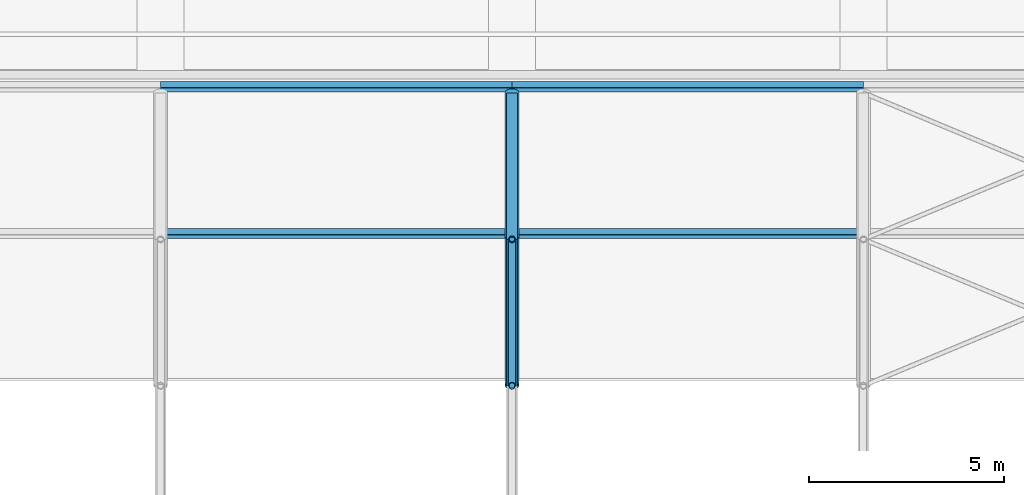
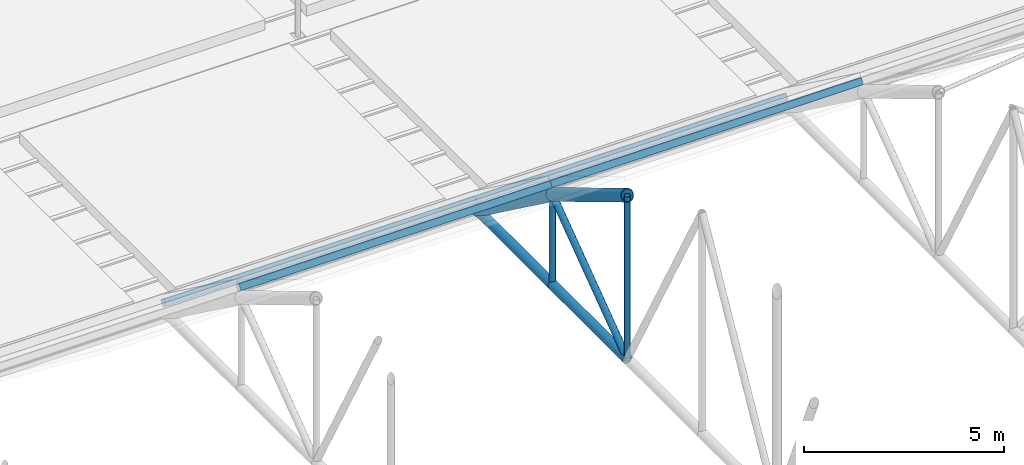
# One storey, part 82 of 153: 11 members.
"""IFC4 building model written with IfcOpenShell, lengths in metres."""

from ifc_helpers import new_model, si_unit, direction, frame, origin, origin_2d, place, context, subcontext, project, spatial, hollow_rectangle, hollow_circle, extrude, material, material_profile, profile_set, type_object, element, save


model = new_model("IFC4")

# Units and contexts
model_context = context("Model", 3, precision=1e-05, world=origin(), true_north=direction((0.0, 1.0)))
body_context = subcontext(model_context, "Body", "Model", "MODEL_VIEW")
ifc_project = project(units=[si_unit("LENGTHUNIT", "METRE"), si_unit("AREAUNIT", "SQUARE_METRE"), si_unit("VOLUMEUNIT", "CUBIC_METRE"), si_unit("PLANEANGLEUNIT", "RADIAN"), si_unit("MASSUNIT", "GRAM", prefix="KILO")], contexts=[model_context])

# Site, building, storey
site_placement = place(None, origin())
site = spatial("IfcSite", under=ifc_project, at=site_placement, CompositionType="ELEMENT")
building_placement = place(site_placement, origin())
building = spatial("IfcBuilding", under=site, at=building_placement, Name="Baradari Gate Terminus", CompositionType="ELEMENT")
storey_placement = place(building_placement, frame((0.0, 0.0, 11.699951171875)))
storey = spatial("IfcBuildingStorey", under=building, at=storey_placement, Name="L02", CompositionType="ELEMENT", Elevation=11.699951171875)

# Members
ifc_material_1 = material(Name="Steel S355", Category="steel")
ifc_material_profile_1 = material_profile(ifc_material_1, hollow_circle(Radius=0.136474609375, WallThickness=0.012451171875, at=origin_2d()), Name="CHS 273x12.5")
ifc_profile_set_1 = profile_set([ifc_material_profile_1], Name="Steel S355")
member_type_1 = type_object("IfcMemberType", Name="Shed bottom chord CHS 273x12.5", PredefinedType="CHORD", material=ifc_profile_set_1)
for number, where, z_axis, x_axis, name in (
    (1, (225.0, 73.5, 0.136474609375), (0.0, 1.0, 0.0), (-1.0, 0.0, 0.0), "TR/L02/S225-BC10"),
    (2, (225.0, 77.25, 0.136474609375), (0.0, 1.0, 0.0), (-1.0, 0.0, 0.0), "TR/L02/S225-BC11"),
):
    element("IfcMember", number, at=place(storey_placement, frame(where, z_axis=z_axis, x_axis=x_axis)), inside=storey, type_object=member_type_1, Name=name, PredefinedType="CHORD", context=body_context, shape_type="SweptSolid", body=[
        extrude(hollow_circle(Radius=0.136474609375, WallThickness=0.012451171875, at=origin_2d()), origin(), (0.0, 0.0, 1.0), 3.75),
    ])
ifc_material_2 = material(Name="Steel S355", Category="steel")
ifc_material_profile_2 = material_profile(ifc_material_2, hollow_rectangle(XDim=0.199951171875, YDim=0.199951171875, WallThickness=0.008056640625, InnerFilletRadius=0.008056640625, OuterFilletRadius=0.01611328125, at=origin_2d()), Name="SHS 200x200x8")
ifc_profile_set_2 = profile_set([ifc_material_profile_2], Name="Steel S355")
member_type_2 = type_object("IfcMemberType", Name="Shed purlin SHS 200x200x8", PredefinedType="PURLIN", material=ifc_profile_set_2)
for number, where, z_axis, x_axis, name in (
    (3, (216.0, 77.397216796875, 3.10791015625), (1.0, 0.0, 0.0), (0.0, 0.832836263724, -0.55351942859), "TR/L02/B225-PU11"),
    (4, (216.0, 81.1572265625, 0.350830078125), (1.0, 0.0, 0.0), (0.0, 0.80640499586, -0.591363663621), "TR/L02/B225-PU12"),
    (5, (225.0, 77.397216796875, 3.10791015625), (1.0, 0.0, 0.0), (0.0, 0.832836263724, -0.55351942859), "TR/L02/B234-PU11"),
    (6, (225.0, 81.1572265625, 0.350830078125), (1.0, 0.0, 0.0), (0.0, 0.80640499586, -0.591363663621), "TR/L02/B234-PU12"),
):
    element("IfcMember", number, at=place(storey_placement, frame(where, z_axis=z_axis, x_axis=x_axis)), inside=storey, type_object=member_type_2, Name=name, PredefinedType="PURLIN", context=body_context, shape_type="SweptSolid", body=[
        extrude(hollow_rectangle(XDim=0.199951171875, YDim=0.199951171875, WallThickness=0.008056640625, InnerFilletRadius=0.008056640625, OuterFilletRadius=0.01611328125, at=origin_2d()), origin(), (0.0, 0.0, 1.0), 9.0),
    ])
ifc_material_3 = material(Name="Steel S355", Category="steel")
ifc_material_profile_3 = material_profile(ifc_material_3, hollow_circle(Radius=0.177734375, WallThickness=0.01611328125, at=origin_2d()), Name="CHS 355.6x16")
ifc_profile_set_3 = profile_set([ifc_material_profile_3], Name="Steel S355")
member_type_3 = type_object("IfcMemberType", Name="Shed top chord CHS 355.6x16", PredefinedType="CHORD", material=ifc_profile_set_3)
member_1_placement = place(storey_placement, frame((225.0, 73.5, 5.136474609375), z_axis=(0.0, 0.857492925713, -0.514495755428), x_axis=(-1.0, 0.0, 0.0)))
element("IfcMember", 7, at=member_1_placement, inside=storey, type_object=member_type_3, Name="TR/L02/S225-TC10", PredefinedType="CHORD", context=body_context, shape_type="SweptSolid", body=[
    extrude(hollow_circle(Radius=0.177734375, WallThickness=0.01611328125, at=origin_2d()), origin(), (0.0, 0.0, 1.0), 4.373291015625),
])
member_2_placement = place(storey_placement, frame((225.0, 77.25, 2.886474609375), z_axis=(0.0, 0.806404995856, -0.591363663628), x_axis=(-1.0, 0.0, 0.0)))
element("IfcMember", 8, at=member_2_placement, inside=storey, type_object=member_type_3, Name="TR/L02/S225-TC11", PredefinedType="CHORD", context=body_context, shape_type="SweptSolid", body=[
    extrude(hollow_circle(Radius=0.177734375, WallThickness=0.01611328125, at=origin_2d()), origin(), (0.0, 0.0, 1.0), 4.650390625),
])
ifc_material_4 = material(Name="Steel S355", Category="steel")
ifc_material_profile_4 = material_profile(ifc_material_4, hollow_circle(Radius=0.096923828125, WallThickness=0.008056640625, at=origin_2d()), Name="CHS 193.7x8")
ifc_profile_set_4 = profile_set([ifc_material_profile_4], Name="Steel S355")
member_type_4 = type_object("IfcMemberType", Name="Shed truss diagonal CHS 193.7x8", PredefinedType="BRACE", material=ifc_profile_set_4)
member_3_placement = place(storey_placement, frame((225.0, 77.25, 2.886474609375), z_axis=(0.0, -0.806404995856, -0.591363663628), x_axis=(1.0, 0.0, 0.0)))
element("IfcMember", 9, at=member_3_placement, inside=storey, type_object=member_type_4, Name="TR/L02/S225-SD10", PredefinedType="BRACE", context=body_context, shape_type="SweptSolid", body=[
    extrude(hollow_circle(Radius=0.096923828125, WallThickness=0.008056640625, at=origin_2d()), origin(), (0.0, 0.0, 1.0), 4.650390625),
])
ifc_material_5 = material(Name="Steel S355", Category="steel")
ifc_material_profile_5 = material_profile(ifc_material_5, hollow_circle(Radius=0.084228515625, WallThickness=0.008056640625, at=origin_2d()), Name="CHS 168.3x8")
ifc_profile_set_5 = profile_set([ifc_material_profile_5], Name="Steel S355")
member_type_5 = type_object("IfcMemberType", Name="Shed truss post CHS 168.3x8", PredefinedType="POST", material=ifc_profile_set_5)
member_4_placement = place(storey_placement, frame((225.0, 73.5, 0.136474609375), z_axis=(0.0, 0.0, 1.0), x_axis=(1.0, 0.0, 0.0)))
element("IfcMember", 10, at=member_4_placement, inside=storey, type_object=member_type_5, Name="TR/L02/S225-SP10", PredefinedType="POST", context=body_context, shape_type="SweptSolid", body=[
    extrude(hollow_circle(Radius=0.084228515625, WallThickness=0.008056640625, at=origin_2d()), origin(), (0.0, 0.0, 1.0), 5.0),
])
member_5_placement = place(storey_placement, frame((225.0, 77.25, 0.136474609375), z_axis=(0.0, 0.0, 1.0), x_axis=(1.0, 0.0, 0.0)))
element("IfcMember", 11, at=member_5_placement, inside=storey, type_object=member_type_5, Name="TR/L02/S225-SP11", PredefinedType="POST", context=body_context, shape_type="SweptSolid", body=[
    extrude(hollow_circle(Radius=0.084228515625, WallThickness=0.008056640625, at=origin_2d()), origin(), (0.0, 0.0, 1.0), 2.75),
])

save(model, "model.ifc")
